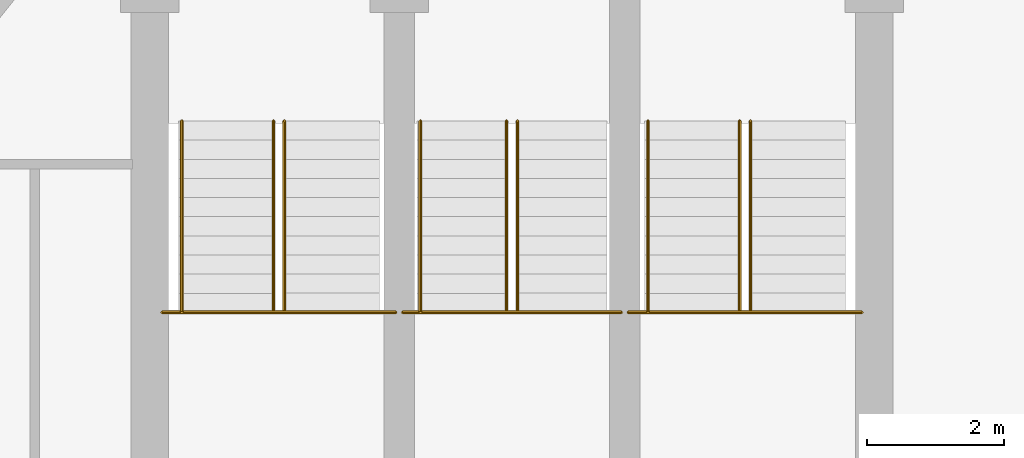
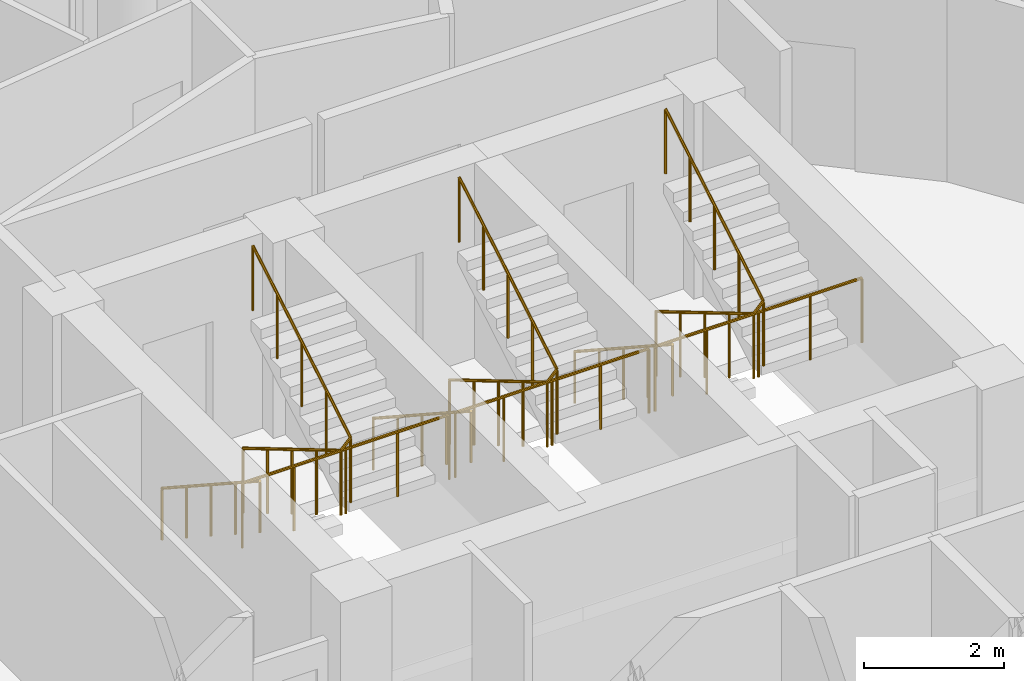
# One storey, part 27 of 27: 9 railings.
"""IFC4 building model written with IfcOpenShell, lengths in metres."""

from ifc_helpers import new_model, si_unit, direction, frame, origin, place, context, subcontext, project, spatial, polyline, outline, extrude, material, type_object, element, save


model = new_model("IFC4")

# Units and contexts
model_context = context("Model", 3, precision=1e-05, world=origin(), true_north=direction((0.0, 1.0)))
body_context = subcontext(model_context, "Body", "Model", "MODEL_VIEW")
ifc_project = project(units=[si_unit("LENGTHUNIT", "METRE"), si_unit("AREAUNIT", "SQUARE_METRE"), si_unit("VOLUMEUNIT", "CUBIC_METRE"), si_unit("PLANEANGLEUNIT", "RADIAN"), si_unit("MASSUNIT", "GRAM", prefix="KILO")], contexts=[model_context])

# Site, building, storey
site_placement = place(None, origin())
site = spatial("IfcSite", under=ifc_project, at=site_placement, CompositionType="ELEMENT")
building_placement = place(site_placement, origin())
building = spatial("IfcBuilding", under=site, at=building_placement, Name="Nuhasar Tower", CompositionType="ELEMENT")
storey_placement = place(building_placement, frame((0.0, 0.0, 241.0)))
storey = spatial("IfcBuildingStorey", under=building, at=storey_placement, Name="L59", CompositionType="ELEMENT", Elevation=241.0)

# Railings
ifc_material_1 = material(Name="Steel S355", Category="steel")
railing_type_1 = type_object("IfcRailingType", Name="RLG-STAIR-GUARD-1150", PredefinedType="GUARDRAIL", material=ifc_material_1)
railing_1_placement = place(storey_placement, frame((33.8798828125, 32.485107421875, 1.824951171875)))
element("IfcRailing", 1, at=railing_1_placement, inside=storey, type_object=railing_type_1, Name="L59 Stair ST-01 Guardrail LND", PredefinedType="GUARDRAIL", context=body_context, shape_type="SweptSolid", body=[
    extrude(outline(polyline([(0.024169921875, 0.0), (0.01708984375, 0.01708984375), (0.0, 0.024169921875), (-0.01708984375, 0.01708984375), (-0.024169921875, 0.0), (-0.01708984375, -0.01708984375), (0.0, -0.024169921875), (0.01708984375, -0.01708984375), (0.024169921875, 0.0)])), frame((0.0, 0.0, 1.1259765625), z_axis=(1.0, 0.0, 0.0), x_axis=(0.0, 1.0, 0.0)), (0.0, 0.0, 1.0), 3.420166015625),
    extrude(outline(polyline([(0.02099609375, 0.0), (0.014892578125, 0.014892578125), (0.0, 0.02099609375), (-0.014892578125, 0.014892578125), (-0.02099609375, 0.0), (-0.014892578125, -0.014892578125), (0.0, -0.02099609375), (0.014892578125, -0.014892578125), (0.02099609375, 0.0)])), origin(), (0.0, 0.0, 1.0), 1.101806640625),
    extrude(outline(polyline([(0.02099609375, 0.0), (0.014892578125, 0.014892578125), (0.0, 0.02099609375), (-0.014892578125, 0.014892578125), (-0.02099609375, 0.0), (-0.014892578125, -0.014892578125), (0.0, -0.02099609375), (0.014892578125, -0.014892578125), (0.02099609375, 0.0)])), frame((0.85498046875, 0.0, 0.0)), (0.0, 0.0, 1.0), 1.101806640625),
    extrude(outline(polyline([(0.02099609375, 0.0), (0.014892578125, 0.014892578125), (0.0, 0.02099609375), (-0.014892578125, 0.014892578125), (-0.02099609375, 0.0), (-0.014892578125, -0.014892578125), (0.0, -0.02099609375), (0.014892578125, -0.014892578125), (0.02099609375, 0.0)])), frame((1.7099609375, 0.0, 0.0)), (0.0, 0.0, 1.0), 1.101806640625),
    extrude(outline(polyline([(0.02099609375, 0.0), (0.014892578125, 0.014892578125), (0.0, 0.02099609375), (-0.014892578125, 0.014892578125), (-0.02099609375, 0.0), (-0.014892578125, -0.014892578125), (0.0, -0.02099609375), (0.014892578125, -0.014892578125), (0.02099609375, 0.0)])), frame((2.565185546875, 0.0, 0.0)), (0.0, 0.0, 1.0), 1.101806640625),
    extrude(outline(polyline([(0.02099609375, 0.0), (0.014892578125, 0.014892578125), (0.0, 0.02099609375), (-0.014892578125, 0.014892578125), (-0.02099609375, 0.0), (-0.014892578125, -0.014892578125), (0.0, -0.02099609375), (0.014892578125, -0.014892578125), (0.02099609375, 0.0)])), frame((3.420166015625, 0.0, 0.0)), (0.0, 0.0, 1.0), 1.101806640625),
])
railing_2_placement = place(storey_placement, frame((35.510009765625, 35.284912109375, 0.166015625)))
element("IfcRailing", 2, at=railing_2_placement, inside=storey, type_object=railing_type_1, Name="L59 Stair ST-01 Guardrail SLT", PredefinedType="GUARDRAIL", context=body_context, shape_type="SweptSolid", body=[
    extrude(outline(polyline([(0.024169921875, 0.0), (0.01708984375, 0.01708984375), (0.0, 0.024169921875), (-0.01708984375, 0.01708984375), (-0.024169921875, 0.0), (-0.01708984375, -0.01708984375), (0.0, -0.024169921875), (0.01708984375, -0.01708984375), (0.024169921875, 0.0)])), frame((0.0, 0.0, 1.1259765625), z_axis=(0.0, -0.860319559791, 0.509755093197), x_axis=(1.0, 0.0, 0.0)), (0.0, 0.0, 1.0), 3.25439453125),
    extrude(outline(polyline([(0.024169921875, 0.0), (0.01708984375, 0.01708984375), (0.0, 0.024169921875), (-0.01708984375, 0.01708984375), (-0.024169921875, 0.0), (-0.01708984375, -0.01708984375), (0.0, -0.024169921875), (0.01708984375, -0.01708984375), (0.024169921875, 0.0)])), frame((0.0, -2.7998046875, 2.78466796875), z_axis=(0.693743449033, 0.0, 0.72022220663), x_axis=(0.0, 1.0, 0.0)), (0.0, 0.0, 1.0), 0.23046875),
    extrude(outline(polyline([(0.024169921875, 0.0), (0.01708984375, 0.01708984375), (0.0, 0.024169921875), (-0.01708984375, 0.01708984375), (-0.024169921875, 0.0), (-0.01708984375, -0.01708984375), (0.0, -0.024169921875), (0.01708984375, -0.01708984375), (0.024169921875, 0.0)])), frame((0.159912109375, -2.7998046875, 2.95068359375), z_axis=(0.0, 0.860319559791, 0.509755093197), x_axis=(-1.0, 0.0, 0.0)), (0.0, 0.0, 1.0), 3.25439453125),
    extrude(outline(polyline([(0.02099609375, 0.0), (0.014892578125, 0.014892578125), (0.0, 0.02099609375), (-0.014892578125, 0.014892578125), (-0.02099609375, 0.0), (-0.014892578125, -0.014892578125), (0.0, -0.02099609375), (0.014892578125, -0.014892578125), (0.02099609375, 0.0)])), origin(), (0.0, 0.0, 1.0), 1.101806640625),
    extrude(outline(polyline([(0.02099609375, 0.0), (0.014892578125, 0.014892578125), (0.0, 0.02099609375), (-0.014892578125, 0.014892578125), (-0.02099609375, 0.0), (-0.014892578125, -0.014892578125), (0.0, -0.02099609375), (0.014892578125, -0.014892578125), (0.02099609375, 0.0)])), frame((0.0, -0.699951171875, 0.414794921875)), (0.0, 0.0, 1.0), 1.101806640625),
    extrude(outline(polyline([(0.02099609375, 0.0), (0.014892578125, 0.014892578125), (0.0, 0.02099609375), (-0.014892578125, 0.014892578125), (-0.02099609375, 0.0), (-0.014892578125, -0.014892578125), (0.0, -0.02099609375), (0.014892578125, -0.014892578125), (0.02099609375, 0.0)])), frame((0.0, -1.39990234375, 0.82958984375)), (0.0, 0.0, 1.0), 1.101806640625),
    extrude(outline(polyline([(0.02099609375, 0.0), (0.014892578125, 0.014892578125), (0.0, 0.02099609375), (-0.014892578125, 0.014892578125), (-0.02099609375, 0.0), (-0.014892578125, -0.014892578125), (0.0, -0.02099609375), (0.014892578125, -0.014892578125), (0.02099609375, 0.0)])), frame((0.0, -2.099853515625, 1.244140625)), (0.0, 0.0, 1.0), 1.101806640625),
    extrude(outline(polyline([(0.02099609375, 0.0), (0.014892578125, 0.014892578125), (0.0, 0.02099609375), (-0.014892578125, 0.014892578125), (-0.02099609375, 0.0), (-0.014892578125, -0.014892578125), (0.0, -0.02099609375), (0.014892578125, -0.014892578125), (0.02099609375, 0.0)])), frame((0.0, -2.7998046875, 1.658935546875)), (0.0, 0.0, 1.0), 1.101806640625),
    extrude(outline(polyline([(0.02099609375, 0.0), (0.014892578125, 0.014892578125), (0.0, 0.02099609375), (-0.014892578125, 0.014892578125), (-0.02099609375, 0.0), (-0.014892578125, -0.014892578125), (0.0, -0.02099609375), (0.014892578125, -0.014892578125), (0.02099609375, 0.0)])), frame((0.159912109375, -2.7998046875, 1.824951171875)), (0.0, 0.0, 1.0), 1.101806640625),
    extrude(outline(polyline([(0.02099609375, 0.0), (0.014892578125, 0.014892578125), (0.0, 0.02099609375), (-0.014892578125, 0.014892578125), (-0.02099609375, 0.0), (-0.014892578125, -0.014892578125), (0.0, -0.02099609375), (0.014892578125, -0.014892578125), (0.02099609375, 0.0)])), frame((0.159912109375, -2.099853515625, 2.23974609375)), (0.0, 0.0, 1.0), 1.101806640625),
    extrude(outline(polyline([(0.02099609375, 0.0), (0.014892578125, 0.014892578125), (0.0, 0.02099609375), (-0.014892578125, 0.014892578125), (-0.02099609375, 0.0), (-0.014892578125, -0.014892578125), (0.0, -0.02099609375), (0.014892578125, -0.014892578125), (0.02099609375, 0.0)])), frame((0.159912109375, -1.39990234375, 2.654296875)), (0.0, 0.0, 1.0), 1.101806640625),
    extrude(outline(polyline([(0.02099609375, 0.0), (0.014892578125, 0.014892578125), (0.0, 0.02099609375), (-0.014892578125, 0.014892578125), (-0.02099609375, 0.0), (-0.014892578125, -0.014892578125), (0.0, -0.02099609375), (0.014892578125, -0.014892578125), (0.02099609375, 0.0)])), frame((0.159912109375, -0.699951171875, 3.069091796875)), (0.0, 0.0, 1.0), 1.101806640625),
    extrude(outline(polyline([(0.02099609375, 0.0), (0.014892578125, 0.014892578125), (0.0, 0.02099609375), (-0.014892578125, 0.014892578125), (-0.02099609375, 0.0), (-0.014892578125, -0.014892578125), (0.0, -0.02099609375), (0.014892578125, -0.014892578125), (0.02099609375, 0.0)])), frame((0.159912109375, 0.0, 3.48388671875)), (0.0, 0.0, 1.0), 1.101806640625),
])
railing_3_placement = place(storey_placement, frame((37.39990234375, 32.485107421875, 1.824951171875)))
element("IfcRailing", 3, at=railing_3_placement, inside=storey, type_object=railing_type_1, Name="L59 Stair ST-03 Guardrail LND", PredefinedType="GUARDRAIL", context=body_context, shape_type="SweptSolid", body=[
    extrude(outline(polyline([(0.024169921875, 0.0), (0.01708984375, 0.01708984375), (0.0, 0.024169921875), (-0.01708984375, 0.01708984375), (-0.024169921875, 0.0), (-0.01708984375, -0.01708984375), (0.0, -0.024169921875), (0.01708984375, -0.01708984375), (0.024169921875, 0.0)])), frame((0.0, 0.0, 1.1259765625), z_axis=(1.0, 0.0, 0.0), x_axis=(0.0, 1.0, 0.0)), (0.0, 0.0, 1.0), 3.2001953125),
    extrude(outline(polyline([(0.02099609375, 0.0), (0.014892578125, 0.014892578125), (0.0, 0.02099609375), (-0.014892578125, 0.014892578125), (-0.02099609375, 0.0), (-0.014892578125, -0.014892578125), (0.0, -0.02099609375), (0.014892578125, -0.014892578125), (0.02099609375, 0.0)])), origin(), (0.0, 0.0, 1.0), 1.101806640625),
    extrude(outline(polyline([(0.02099609375, 0.0), (0.014892578125, 0.014892578125), (0.0, 0.02099609375), (-0.014892578125, 0.014892578125), (-0.02099609375, 0.0), (-0.014892578125, -0.014892578125), (0.0, -0.02099609375), (0.014892578125, -0.014892578125), (0.02099609375, 0.0)])), frame((0.800048828125, 0.0, 0.0)), (0.0, 0.0, 1.0), 1.101806640625),
    extrude(outline(polyline([(0.02099609375, 0.0), (0.014892578125, 0.014892578125), (0.0, 0.02099609375), (-0.014892578125, 0.014892578125), (-0.02099609375, 0.0), (-0.014892578125, -0.014892578125), (0.0, -0.02099609375), (0.014892578125, -0.014892578125), (0.02099609375, 0.0)])), frame((1.60009765625, 0.0, 0.0)), (0.0, 0.0, 1.0), 1.101806640625),
    extrude(outline(polyline([(0.02099609375, 0.0), (0.014892578125, 0.014892578125), (0.0, 0.02099609375), (-0.014892578125, 0.014892578125), (-0.02099609375, 0.0), (-0.014892578125, -0.014892578125), (0.0, -0.02099609375), (0.014892578125, -0.014892578125), (0.02099609375, 0.0)])), frame((2.400146484375, 0.0, 0.0)), (0.0, 0.0, 1.0), 1.101806640625),
    extrude(outline(polyline([(0.02099609375, 0.0), (0.014892578125, 0.014892578125), (0.0, 0.02099609375), (-0.014892578125, 0.014892578125), (-0.02099609375, 0.0), (-0.014892578125, -0.014892578125), (0.0, -0.02099609375), (0.014892578125, -0.014892578125), (0.02099609375, 0.0)])), frame((3.2001953125, 0.0, 0.0)), (0.0, 0.0, 1.0), 1.101806640625),
])
railing_4_placement = place(storey_placement, frame((38.919921875, 35.284912109375, 0.166015625)))
element("IfcRailing", 4, at=railing_4_placement, inside=storey, type_object=railing_type_1, Name="L59 Stair ST-03 Guardrail SLT", PredefinedType="GUARDRAIL", context=body_context, shape_type="SweptSolid", body=[
    extrude(outline(polyline([(0.024169921875, 0.0), (0.01708984375, 0.01708984375), (0.0, 0.024169921875), (-0.01708984375, 0.01708984375), (-0.024169921875, 0.0), (-0.01708984375, -0.01708984375), (0.0, -0.024169921875), (0.01708984375, -0.01708984375), (0.024169921875, 0.0)])), frame((0.0, 0.0, 1.1259765625), z_axis=(0.0, -0.860319559791, 0.509755093197), x_axis=(1.0, 0.0, 0.0)), (0.0, 0.0, 1.0), 3.25439453125),
    extrude(outline(polyline([(0.024169921875, 0.0), (0.01708984375, 0.01708984375), (0.0, 0.024169921875), (-0.01708984375, 0.01708984375), (-0.024169921875, 0.0), (-0.01708984375, -0.01708984375), (0.0, -0.024169921875), (0.01708984375, -0.01708984375), (0.024169921875, 0.0)])), frame((0.0, -2.7998046875, 2.78466796875), z_axis=(0.694292246407, 0.0, 0.719693182251), x_axis=(0.0, 1.0, 0.0)), (0.0, 0.0, 1.0), 0.230712890625),
    extrude(outline(polyline([(0.024169921875, 0.0), (0.01708984375, 0.01708984375), (0.0, 0.024169921875), (-0.01708984375, 0.01708984375), (-0.024169921875, 0.0), (-0.01708984375, -0.01708984375), (0.0, -0.024169921875), (0.01708984375, -0.01708984375), (0.024169921875, 0.0)])), frame((0.16015625, -2.7998046875, 2.95068359375), z_axis=(0.0, 0.860319559791, 0.509755093197), x_axis=(-1.0, 0.0, 0.0)), (0.0, 0.0, 1.0), 3.25439453125),
    extrude(outline(polyline([(0.02099609375, 0.0), (0.014892578125, 0.014892578125), (0.0, 0.02099609375), (-0.014892578125, 0.014892578125), (-0.02099609375, 0.0), (-0.014892578125, -0.014892578125), (0.0, -0.02099609375), (0.014892578125, -0.014892578125), (0.02099609375, 0.0)])), origin(), (0.0, 0.0, 1.0), 1.101806640625),
    extrude(outline(polyline([(0.02099609375, 0.0), (0.014892578125, 0.014892578125), (0.0, 0.02099609375), (-0.014892578125, 0.014892578125), (-0.02099609375, 0.0), (-0.014892578125, -0.014892578125), (0.0, -0.02099609375), (0.014892578125, -0.014892578125), (0.02099609375, 0.0)])), frame((0.0, -0.699951171875, 0.414794921875)), (0.0, 0.0, 1.0), 1.101806640625),
    extrude(outline(polyline([(0.02099609375, 0.0), (0.014892578125, 0.014892578125), (0.0, 0.02099609375), (-0.014892578125, 0.014892578125), (-0.02099609375, 0.0), (-0.014892578125, -0.014892578125), (0.0, -0.02099609375), (0.014892578125, -0.014892578125), (0.02099609375, 0.0)])), frame((0.0, -1.39990234375, 0.82958984375)), (0.0, 0.0, 1.0), 1.101806640625),
    extrude(outline(polyline([(0.02099609375, 0.0), (0.014892578125, 0.014892578125), (0.0, 0.02099609375), (-0.014892578125, 0.014892578125), (-0.02099609375, 0.0), (-0.014892578125, -0.014892578125), (0.0, -0.02099609375), (0.014892578125, -0.014892578125), (0.02099609375, 0.0)])), frame((0.0, -2.099853515625, 1.244140625)), (0.0, 0.0, 1.0), 1.101806640625),
    extrude(outline(polyline([(0.02099609375, 0.0), (0.014892578125, 0.014892578125), (0.0, 0.02099609375), (-0.014892578125, 0.014892578125), (-0.02099609375, 0.0), (-0.014892578125, -0.014892578125), (0.0, -0.02099609375), (0.014892578125, -0.014892578125), (0.02099609375, 0.0)])), frame((0.0, -2.7998046875, 1.658935546875)), (0.0, 0.0, 1.0), 1.101806640625),
    extrude(outline(polyline([(0.02099609375, 0.0), (0.014892578125, 0.014892578125), (0.0, 0.02099609375), (-0.014892578125, 0.014892578125), (-0.02099609375, 0.0), (-0.014892578125, -0.014892578125), (0.0, -0.02099609375), (0.014892578125, -0.014892578125), (0.02099609375, 0.0)])), frame((0.16015625, -2.7998046875, 1.824951171875)), (0.0, 0.0, 1.0), 1.101806640625),
    extrude(outline(polyline([(0.02099609375, 0.0), (0.014892578125, 0.014892578125), (0.0, 0.02099609375), (-0.014892578125, 0.014892578125), (-0.02099609375, 0.0), (-0.014892578125, -0.014892578125), (0.0, -0.02099609375), (0.014892578125, -0.014892578125), (0.02099609375, 0.0)])), frame((0.16015625, -2.099853515625, 2.23974609375)), (0.0, 0.0, 1.0), 1.101806640625),
    extrude(outline(polyline([(0.02099609375, 0.0), (0.014892578125, 0.014892578125), (0.0, 0.02099609375), (-0.014892578125, 0.014892578125), (-0.02099609375, 0.0), (-0.014892578125, -0.014892578125), (0.0, -0.02099609375), (0.014892578125, -0.014892578125), (0.02099609375, 0.0)])), frame((0.16015625, -1.39990234375, 2.654296875)), (0.0, 0.0, 1.0), 1.101806640625),
    extrude(outline(polyline([(0.02099609375, 0.0), (0.014892578125, 0.014892578125), (0.0, 0.02099609375), (-0.014892578125, 0.014892578125), (-0.02099609375, 0.0), (-0.014892578125, -0.014892578125), (0.0, -0.02099609375), (0.014892578125, -0.014892578125), (0.02099609375, 0.0)])), frame((0.16015625, -0.699951171875, 3.069091796875)), (0.0, 0.0, 1.0), 1.101806640625),
    extrude(outline(polyline([(0.02099609375, 0.0), (0.014892578125, 0.014892578125), (0.0, 0.02099609375), (-0.014892578125, 0.014892578125), (-0.02099609375, 0.0), (-0.014892578125, -0.014892578125), (0.0, -0.02099609375), (0.014892578125, -0.014892578125), (0.02099609375, 0.0)])), frame((0.16015625, 0.0, 3.48388671875)), (0.0, 0.0, 1.0), 1.101806640625),
])
railing_5_placement = place(storey_placement, frame((40.699951171875, 32.485107421875, 1.824951171875)))
element("IfcRailing", 5, at=railing_5_placement, inside=storey, type_object=railing_type_1, Name="L59 Stair ST-02 Guardrail LND", PredefinedType="GUARDRAIL", context=body_context, shape_type="SweptSolid", body=[
    extrude(outline(polyline([(0.024169921875, 0.0), (0.01708984375, 0.01708984375), (0.0, 0.024169921875), (-0.01708984375, 0.01708984375), (-0.024169921875, 0.0), (-0.01708984375, -0.01708984375), (0.0, -0.024169921875), (0.01708984375, -0.01708984375), (0.024169921875, 0.0)])), frame((0.0, 0.0, 1.1259765625), z_axis=(1.0, 0.0, 0.0), x_axis=(0.0, 1.0, 0.0)), (0.0, 0.0, 1.0), 3.420166015625),
    extrude(outline(polyline([(0.02099609375, 0.0), (0.014892578125, 0.014892578125), (0.0, 0.02099609375), (-0.014892578125, 0.014892578125), (-0.02099609375, 0.0), (-0.014892578125, -0.014892578125), (0.0, -0.02099609375), (0.014892578125, -0.014892578125), (0.02099609375, 0.0)])), origin(), (0.0, 0.0, 1.0), 1.101806640625),
    extrude(outline(polyline([(0.02099609375, 0.0), (0.014892578125, 0.014892578125), (0.0, 0.02099609375), (-0.014892578125, 0.014892578125), (-0.02099609375, 0.0), (-0.014892578125, -0.014892578125), (0.0, -0.02099609375), (0.014892578125, -0.014892578125), (0.02099609375, 0.0)])), frame((0.85498046875, 0.0, 0.0)), (0.0, 0.0, 1.0), 1.101806640625),
    extrude(outline(polyline([(0.02099609375, 0.0), (0.014892578125, 0.014892578125), (0.0, 0.02099609375), (-0.014892578125, 0.014892578125), (-0.02099609375, 0.0), (-0.014892578125, -0.014892578125), (0.0, -0.02099609375), (0.014892578125, -0.014892578125), (0.02099609375, 0.0)])), frame((1.7099609375, 0.0, 0.0)), (0.0, 0.0, 1.0), 1.101806640625),
    extrude(outline(polyline([(0.02099609375, 0.0), (0.014892578125, 0.014892578125), (0.0, 0.02099609375), (-0.014892578125, 0.014892578125), (-0.02099609375, 0.0), (-0.014892578125, -0.014892578125), (0.0, -0.02099609375), (0.014892578125, -0.014892578125), (0.02099609375, 0.0)])), frame((2.565185546875, 0.0, 0.0)), (0.0, 0.0, 1.0), 1.101806640625),
    extrude(outline(polyline([(0.02099609375, 0.0), (0.014892578125, 0.014892578125), (0.0, 0.02099609375), (-0.014892578125, 0.014892578125), (-0.02099609375, 0.0), (-0.014892578125, -0.014892578125), (0.0, -0.02099609375), (0.014892578125, -0.014892578125), (0.02099609375, 0.0)])), frame((3.420166015625, 0.0, 0.0)), (0.0, 0.0, 1.0), 1.101806640625),
])
railing_6_placement = place(storey_placement, frame((42.330078125, 35.284912109375, 0.166015625)))
element("IfcRailing", 6, at=railing_6_placement, inside=storey, type_object=railing_type_1, Name="L59 Stair ST-02 Guardrail SLT", PredefinedType="GUARDRAIL", context=body_context, shape_type="SweptSolid", body=[
    extrude(outline(polyline([(0.024169921875, 0.0), (0.01708984375, 0.01708984375), (0.0, 0.024169921875), (-0.01708984375, 0.01708984375), (-0.024169921875, 0.0), (-0.01708984375, -0.01708984375), (0.0, -0.024169921875), (0.01708984375, -0.01708984375), (0.024169921875, 0.0)])), frame((0.0, 0.0, 1.1259765625), z_axis=(0.0, -0.860319559791, 0.509755093197), x_axis=(1.0, 0.0, 0.0)), (0.0, 0.0, 1.0), 3.25439453125),
    extrude(outline(polyline([(0.024169921875, 0.0), (0.01708984375, 0.01708984375), (0.0, 0.024169921875), (-0.01708984375, 0.01708984375), (-0.024169921875, 0.0), (-0.01708984375, -0.01708984375), (0.0, -0.024169921875), (0.01708984375, -0.01708984375), (0.024169921875, 0.0)])), frame((0.0, -2.7998046875, 2.78466796875), z_axis=(0.693743449033, 0.0, 0.72022220663), x_axis=(0.0, 1.0, 0.0)), (0.0, 0.0, 1.0), 0.23046875),
    extrude(outline(polyline([(0.024169921875, 0.0), (0.01708984375, 0.01708984375), (0.0, 0.024169921875), (-0.01708984375, 0.01708984375), (-0.024169921875, 0.0), (-0.01708984375, -0.01708984375), (0.0, -0.024169921875), (0.01708984375, -0.01708984375), (0.024169921875, 0.0)])), frame((0.159912109375, -2.7998046875, 2.95068359375), z_axis=(0.0, 0.860319559791, 0.509755093197), x_axis=(-1.0, 0.0, 0.0)), (0.0, 0.0, 1.0), 3.25439453125),
    extrude(outline(polyline([(0.02099609375, 0.0), (0.014892578125, 0.014892578125), (0.0, 0.02099609375), (-0.014892578125, 0.014892578125), (-0.02099609375, 0.0), (-0.014892578125, -0.014892578125), (0.0, -0.02099609375), (0.014892578125, -0.014892578125), (0.02099609375, 0.0)])), origin(), (0.0, 0.0, 1.0), 1.101806640625),
    extrude(outline(polyline([(0.02099609375, 0.0), (0.014892578125, 0.014892578125), (0.0, 0.02099609375), (-0.014892578125, 0.014892578125), (-0.02099609375, 0.0), (-0.014892578125, -0.014892578125), (0.0, -0.02099609375), (0.014892578125, -0.014892578125), (0.02099609375, 0.0)])), frame((0.0, -0.699951171875, 0.414794921875)), (0.0, 0.0, 1.0), 1.101806640625),
    extrude(outline(polyline([(0.02099609375, 0.0), (0.014892578125, 0.014892578125), (0.0, 0.02099609375), (-0.014892578125, 0.014892578125), (-0.02099609375, 0.0), (-0.014892578125, -0.014892578125), (0.0, -0.02099609375), (0.014892578125, -0.014892578125), (0.02099609375, 0.0)])), frame((0.0, -1.39990234375, 0.82958984375)), (0.0, 0.0, 1.0), 1.101806640625),
    extrude(outline(polyline([(0.02099609375, 0.0), (0.014892578125, 0.014892578125), (0.0, 0.02099609375), (-0.014892578125, 0.014892578125), (-0.02099609375, 0.0), (-0.014892578125, -0.014892578125), (0.0, -0.02099609375), (0.014892578125, -0.014892578125), (0.02099609375, 0.0)])), frame((0.0, -2.099853515625, 1.244140625)), (0.0, 0.0, 1.0), 1.101806640625),
    extrude(outline(polyline([(0.02099609375, 0.0), (0.014892578125, 0.014892578125), (0.0, 0.02099609375), (-0.014892578125, 0.014892578125), (-0.02099609375, 0.0), (-0.014892578125, -0.014892578125), (0.0, -0.02099609375), (0.014892578125, -0.014892578125), (0.02099609375, 0.0)])), frame((0.0, -2.7998046875, 1.658935546875)), (0.0, 0.0, 1.0), 1.101806640625),
    extrude(outline(polyline([(0.02099609375, 0.0), (0.014892578125, 0.014892578125), (0.0, 0.02099609375), (-0.014892578125, 0.014892578125), (-0.02099609375, 0.0), (-0.014892578125, -0.014892578125), (0.0, -0.02099609375), (0.014892578125, -0.014892578125), (0.02099609375, 0.0)])), frame((0.159912109375, -2.7998046875, 1.824951171875)), (0.0, 0.0, 1.0), 1.101806640625),
    extrude(outline(polyline([(0.02099609375, 0.0), (0.014892578125, 0.014892578125), (0.0, 0.02099609375), (-0.014892578125, 0.014892578125), (-0.02099609375, 0.0), (-0.014892578125, -0.014892578125), (0.0, -0.02099609375), (0.014892578125, -0.014892578125), (0.02099609375, 0.0)])), frame((0.159912109375, -2.099853515625, 2.23974609375)), (0.0, 0.0, 1.0), 1.101806640625),
    extrude(outline(polyline([(0.02099609375, 0.0), (0.014892578125, 0.014892578125), (0.0, 0.02099609375), (-0.014892578125, 0.014892578125), (-0.02099609375, 0.0), (-0.014892578125, -0.014892578125), (0.0, -0.02099609375), (0.014892578125, -0.014892578125), (0.02099609375, 0.0)])), frame((0.159912109375, -1.39990234375, 2.654296875)), (0.0, 0.0, 1.0), 1.101806640625),
    extrude(outline(polyline([(0.02099609375, 0.0), (0.014892578125, 0.014892578125), (0.0, 0.02099609375), (-0.014892578125, 0.014892578125), (-0.02099609375, 0.0), (-0.014892578125, -0.014892578125), (0.0, -0.02099609375), (0.014892578125, -0.014892578125), (0.02099609375, 0.0)])), frame((0.159912109375, -0.699951171875, 3.069091796875)), (0.0, 0.0, 1.0), 1.101806640625),
    extrude(outline(polyline([(0.02099609375, 0.0), (0.014892578125, 0.014892578125), (0.0, 0.02099609375), (-0.014892578125, 0.014892578125), (-0.02099609375, 0.0), (-0.014892578125, -0.014892578125), (0.0, -0.02099609375), (0.014892578125, -0.014892578125), (0.02099609375, 0.0)])), frame((0.159912109375, 0.0, 3.48388671875)), (0.0, 0.0, 1.0), 1.101806640625),
])
ifc_material_2 = material(Name="Stainless Steel 316L", Category="steel")
railing_type_2 = type_object("IfcRailingType", Name="RLG-STAIR-HAND-920", PredefinedType="HANDRAIL", material=ifc_material_2)
railing_7_placement = place(storey_placement, frame((34.169921875, 35.284912109375, 0.166015625)))
element("IfcRailing", 7, at=railing_7_placement, inside=storey, type_object=railing_type_2, Name="L59 Stair ST-01 Handrail HND1", PredefinedType="HANDRAIL", context=body_context, shape_type="SweptSolid", body=[
    extrude(outline(polyline([(0.024169921875, 0.0), (0.01708984375, 0.01708984375), (0.0, 0.024169921875), (-0.01708984375, 0.01708984375), (-0.024169921875, 0.0), (-0.01708984375, -0.01708984375), (0.0, -0.024169921875), (0.01708984375, -0.01708984375), (0.024169921875, 0.0)])), frame((0.0, 0.0, 0.89599609375), z_axis=(0.0, -0.837748630625, 0.546056070276), x_axis=(1.0, 0.0, 0.0)), (0.0, 0.0, 1.0), 3.342041015625),
    extrude(outline(polyline([(0.02099609375, 0.0), (0.014892578125, 0.014892578125), (0.0, 0.02099609375), (-0.014892578125, 0.014892578125), (-0.02099609375, 0.0), (-0.014892578125, -0.014892578125), (0.0, -0.02099609375), (0.014892578125, -0.014892578125), (0.02099609375, 0.0)])), origin(), (0.0, 0.0, 1.0), 0.871826171875),
    extrude(outline(polyline([(0.02099609375, 0.0), (0.014892578125, 0.014892578125), (0.0, 0.02099609375), (-0.014892578125, 0.014892578125), (-0.02099609375, 0.0), (-0.014892578125, -0.014892578125), (0.0, -0.02099609375), (0.014892578125, -0.014892578125), (0.02099609375, 0.0)])), frame((0.0, -0.699951171875, 0.456298828125)), (0.0, 0.0, 1.0), 0.871826171875),
    extrude(outline(polyline([(0.02099609375, 0.0), (0.014892578125, 0.014892578125), (0.0, 0.02099609375), (-0.014892578125, 0.014892578125), (-0.02099609375, 0.0), (-0.014892578125, -0.014892578125), (0.0, -0.02099609375), (0.014892578125, -0.014892578125), (0.02099609375, 0.0)])), frame((0.0, -1.39990234375, 0.91259765625)), (0.0, 0.0, 1.0), 0.871826171875),
    extrude(outline(polyline([(0.02099609375, 0.0), (0.014892578125, 0.014892578125), (0.0, 0.02099609375), (-0.014892578125, 0.014892578125), (-0.02099609375, 0.0), (-0.014892578125, -0.014892578125), (0.0, -0.02099609375), (0.014892578125, -0.014892578125), (0.02099609375, 0.0)])), frame((0.0, -2.099853515625, 1.36865234375)), (0.0, 0.0, 1.0), 0.871826171875),
    extrude(outline(polyline([(0.02099609375, 0.0), (0.014892578125, 0.014892578125), (0.0, 0.02099609375), (-0.014892578125, 0.014892578125), (-0.02099609375, 0.0), (-0.014892578125, -0.014892578125), (0.0, -0.02099609375), (0.014892578125, -0.014892578125), (0.02099609375, 0.0)])), frame((0.0, -2.7998046875, 1.824951171875)), (0.0, 0.0, 1.0), 0.871826171875),
])
railing_8_placement = place(storey_placement, frame((37.659912109375, 35.284912109375, 0.166015625)))
element("IfcRailing", 8, at=railing_8_placement, inside=storey, type_object=railing_type_2, Name="L59 Stair ST-03 Handrail HND1", PredefinedType="HANDRAIL", context=body_context, shape_type="SweptSolid", body=[
    extrude(outline(polyline([(0.024169921875, 0.0), (0.01708984375, 0.01708984375), (0.0, 0.024169921875), (-0.01708984375, 0.01708984375), (-0.024169921875, 0.0), (-0.01708984375, -0.01708984375), (0.0, -0.024169921875), (0.01708984375, -0.01708984375), (0.024169921875, 0.0)])), frame((0.0, 0.0, 0.89599609375), z_axis=(0.0, -0.837748630625, 0.546056070276), x_axis=(1.0, 0.0, 0.0)), (0.0, 0.0, 1.0), 3.342041015625),
    extrude(outline(polyline([(0.02099609375, 0.0), (0.014892578125, 0.014892578125), (0.0, 0.02099609375), (-0.014892578125, 0.014892578125), (-0.02099609375, 0.0), (-0.014892578125, -0.014892578125), (0.0, -0.02099609375), (0.014892578125, -0.014892578125), (0.02099609375, 0.0)])), origin(), (0.0, 0.0, 1.0), 0.871826171875),
    extrude(outline(polyline([(0.02099609375, 0.0), (0.014892578125, 0.014892578125), (0.0, 0.02099609375), (-0.014892578125, 0.014892578125), (-0.02099609375, 0.0), (-0.014892578125, -0.014892578125), (0.0, -0.02099609375), (0.014892578125, -0.014892578125), (0.02099609375, 0.0)])), frame((0.0, -0.699951171875, 0.456298828125)), (0.0, 0.0, 1.0), 0.871826171875),
    extrude(outline(polyline([(0.02099609375, 0.0), (0.014892578125, 0.014892578125), (0.0, 0.02099609375), (-0.014892578125, 0.014892578125), (-0.02099609375, 0.0), (-0.014892578125, -0.014892578125), (0.0, -0.02099609375), (0.014892578125, -0.014892578125), (0.02099609375, 0.0)])), frame((0.0, -1.39990234375, 0.91259765625)), (0.0, 0.0, 1.0), 0.871826171875),
    extrude(outline(polyline([(0.02099609375, 0.0), (0.014892578125, 0.014892578125), (0.0, 0.02099609375), (-0.014892578125, 0.014892578125), (-0.02099609375, 0.0), (-0.014892578125, -0.014892578125), (0.0, -0.02099609375), (0.014892578125, -0.014892578125), (0.02099609375, 0.0)])), frame((0.0, -2.099853515625, 1.36865234375)), (0.0, 0.0, 1.0), 0.871826171875),
    extrude(outline(polyline([(0.02099609375, 0.0), (0.014892578125, 0.014892578125), (0.0, 0.02099609375), (-0.014892578125, 0.014892578125), (-0.02099609375, 0.0), (-0.014892578125, -0.014892578125), (0.0, -0.02099609375), (0.014892578125, -0.014892578125), (0.02099609375, 0.0)])), frame((0.0, -2.7998046875, 1.824951171875)), (0.0, 0.0, 1.0), 0.871826171875),
])
railing_9_placement = place(storey_placement, frame((40.989990234375, 35.284912109375, 0.166015625)))
element("IfcRailing", 9, at=railing_9_placement, inside=storey, type_object=railing_type_2, Name="L59 Stair ST-02 Handrail HND1", PredefinedType="HANDRAIL", context=body_context, shape_type="SweptSolid", body=[
    extrude(outline(polyline([(0.024169921875, 0.0), (0.01708984375, 0.01708984375), (0.0, 0.024169921875), (-0.01708984375, 0.01708984375), (-0.024169921875, 0.0), (-0.01708984375, -0.01708984375), (0.0, -0.024169921875), (0.01708984375, -0.01708984375), (0.024169921875, 0.0)])), frame((0.0, 0.0, 0.89599609375), z_axis=(0.0, -0.837748630625, 0.546056070276), x_axis=(1.0, 0.0, 0.0)), (0.0, 0.0, 1.0), 3.342041015625),
    extrude(outline(polyline([(0.02099609375, 0.0), (0.014892578125, 0.014892578125), (0.0, 0.02099609375), (-0.014892578125, 0.014892578125), (-0.02099609375, 0.0), (-0.014892578125, -0.014892578125), (0.0, -0.02099609375), (0.014892578125, -0.014892578125), (0.02099609375, 0.0)])), origin(), (0.0, 0.0, 1.0), 0.871826171875),
    extrude(outline(polyline([(0.02099609375, 0.0), (0.014892578125, 0.014892578125), (0.0, 0.02099609375), (-0.014892578125, 0.014892578125), (-0.02099609375, 0.0), (-0.014892578125, -0.014892578125), (0.0, -0.02099609375), (0.014892578125, -0.014892578125), (0.02099609375, 0.0)])), frame((0.0, -0.699951171875, 0.456298828125)), (0.0, 0.0, 1.0), 0.871826171875),
    extrude(outline(polyline([(0.02099609375, 0.0), (0.014892578125, 0.014892578125), (0.0, 0.02099609375), (-0.014892578125, 0.014892578125), (-0.02099609375, 0.0), (-0.014892578125, -0.014892578125), (0.0, -0.02099609375), (0.014892578125, -0.014892578125), (0.02099609375, 0.0)])), frame((0.0, -1.39990234375, 0.91259765625)), (0.0, 0.0, 1.0), 0.871826171875),
    extrude(outline(polyline([(0.02099609375, 0.0), (0.014892578125, 0.014892578125), (0.0, 0.02099609375), (-0.014892578125, 0.014892578125), (-0.02099609375, 0.0), (-0.014892578125, -0.014892578125), (0.0, -0.02099609375), (0.014892578125, -0.014892578125), (0.02099609375, 0.0)])), frame((0.0, -2.099853515625, 1.36865234375)), (0.0, 0.0, 1.0), 0.871826171875),
    extrude(outline(polyline([(0.02099609375, 0.0), (0.014892578125, 0.014892578125), (0.0, 0.02099609375), (-0.014892578125, 0.014892578125), (-0.02099609375, 0.0), (-0.014892578125, -0.014892578125), (0.0, -0.02099609375), (0.014892578125, -0.014892578125), (0.02099609375, 0.0)])), frame((0.0, -2.7998046875, 1.824951171875)), (0.0, 0.0, 1.0), 0.871826171875),
])

save(model, "model.ifc")
